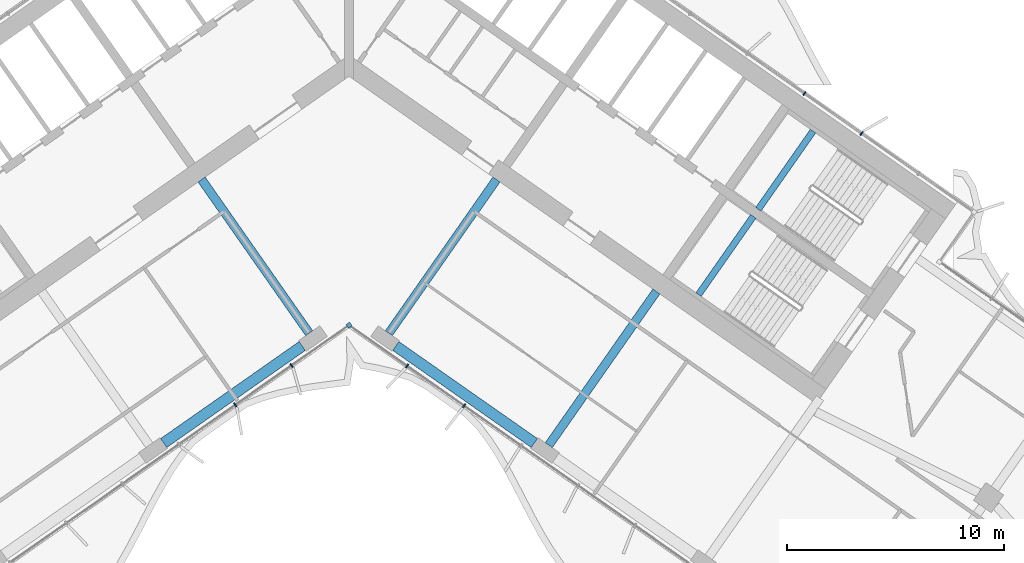
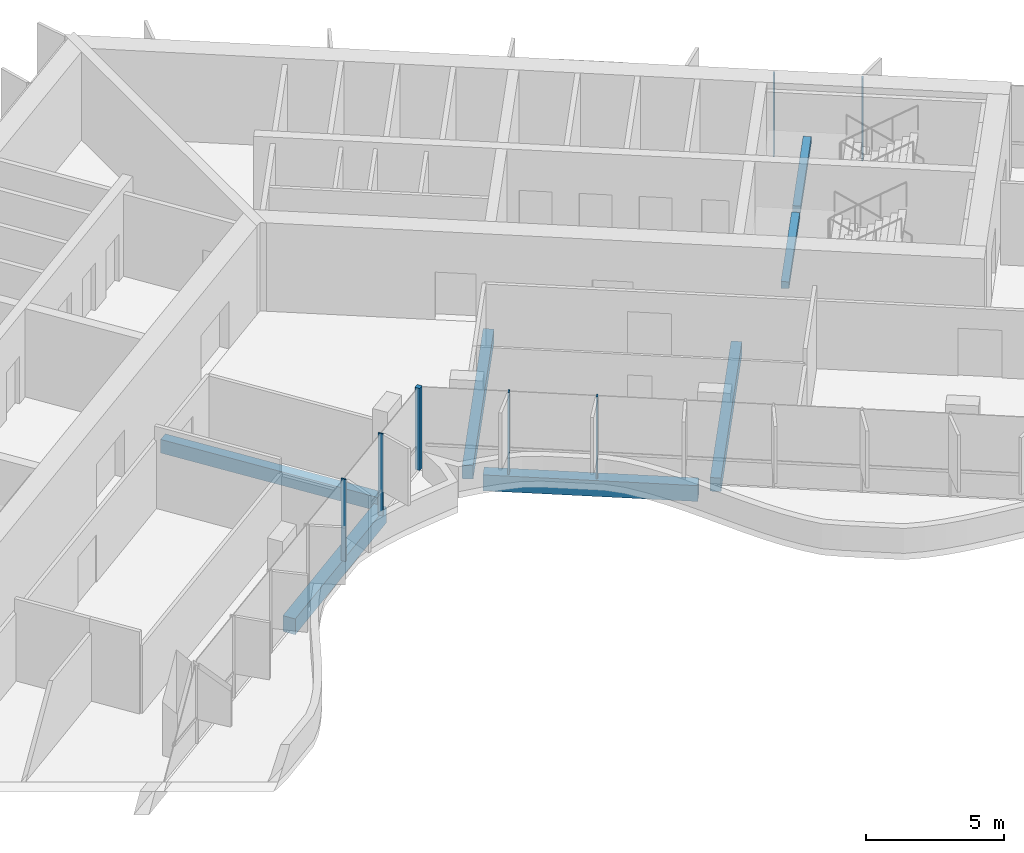
# One storey, part 6 of 22: 7 beams, 7 members, 2 elements without a shape of their own.
"""IFC4 building model written with IfcOpenShell, lengths in metres."""

from ifc_helpers import new_model, si_unit, direction, frame, origin, origin_2d, place, context, subcontext, project, spatial, rectangle, extrude, material, material_profile, profile_set, type_object, element, aggregate, save


model = new_model("IFC4")

# Units and contexts
model_context = context("Model", 3, precision=1e-05, world=origin(), true_north=direction((0.0, 1.0)))
body_context = subcontext(model_context, "Body", "Model", "MODEL_VIEW")
ifc_project = project(units=[si_unit("LENGTHUNIT", "METRE"), si_unit("AREAUNIT", "SQUARE_METRE"), si_unit("VOLUMEUNIT", "CUBIC_METRE"), si_unit("PLANEANGLEUNIT", "RADIAN"), si_unit("MASSUNIT", "GRAM", prefix="KILO")], contexts=[model_context])

# Site, building, storey
site_placement = place(None, origin())
site = spatial("IfcSite", under=ifc_project, at=site_placement, CompositionType="ELEMENT")
building_placement = place(site_placement, origin())
building = spatial("IfcBuilding", under=site, at=building_placement, Name="Tel Ilan Convention Tower", CompositionType="ELEMENT")
storey_placement = place(building_placement, frame((0.0, 0.0, 143.699951171875)))
storey = spatial("IfcBuildingStorey", under=building, at=storey_placement, Name="L32", CompositionType="ELEMENT", Elevation=143.699951171875)

# Beams
ifc_material_1 = material(Name="Concrete C40/50", Category="concrete")
ifc_material_profile_1 = material_profile(ifc_material_1, rectangle(XDim=0.39990234375, YDim=0.60009765625, at=origin_2d()), Name="RC 400x600")
ifc_profile_set_1 = profile_set([ifc_material_profile_1], Name="Concrete C40/50")
beam_type_1 = type_object("IfcBeamType", Name="Beam RC 400x600 Concrete C40/50", PredefinedType="BEAM", material=ifc_profile_set_1)
for number, where, z_axis, x_axis, name in (
    (1, (-1.83740234375, -13.06689453125, -0.579833984375), (-0.573574099654, 0.819153680457, 0.0), (-0.819153680457, -0.573574099654, 0.0), "L32 beam W-W-F1-core"),
    (2, (1.83740234375, -13.06689453125, -0.579833984375), (0.573574099654, 0.819153680457, 0.0), (-0.819153680457, 0.573574099654, 0.0), "L32 beam E-E-F1-core"),
    (3, (9.209716796875, -18.229248046875, -0.579833984375), (0.573574099654, 0.819153680457, 0.0), (-0.819153680457, 0.573574099654, 0.0), "L32 beam E-E-F2-core"),
):
    element("IfcBeam", number, at=place(storey_placement, frame(where, z_axis=z_axis, x_axis=x_axis)), inside=storey, type_object=beam_type_1, Name=name, PredefinedType="BEAM", context=body_context, shape_type="SweptSolid", body=[
        extrude(rectangle(XDim=0.39990234375, YDim=0.60009765625, at=origin_2d()), origin(), (0.0, 0.0, 1.0), 8.64990234375),
    ])
ifc_material_2 = material(Name="Concrete C40/50", Category="concrete")
ifc_material_profile_2 = material_profile(ifc_material_2, rectangle(XDim=0.5, YDim=0.699951171875, at=origin_2d()), Name="RC 500x700")
ifc_profile_set_2 = profile_set([ifc_material_profile_2], Name="Concrete C40/50")
beam_type_2 = type_object("IfcBeamType", Name="Beam RC 500x700 Concrete C40/50", PredefinedType="BEAM", material=ifc_profile_set_2)
for number, where, z_axis, x_axis, name in (
    (4, (-2.15673828125, -13.656982421875, -0.6298828125), (-0.819153977895, -0.573573674866, 0.0), (0.573573674866, -0.819153977895, 0.0), "L32 beam W-W-F1-W-F2"),
    (5, (2.15673828125, -13.656982421875, -0.6298828125), (0.819153977895, -0.573573674866, 0.0), (0.573573674866, 0.819153977895, 0.0), "L32 beam E-E-F1-E-F2"),
):
    element("IfcBeam", number, at=place(storey_placement, frame(where, z_axis=z_axis, x_axis=x_axis)), inside=storey, type_object=beam_type_2, Name=name, PredefinedType="BEAM", context=body_context, shape_type="SweptSolid", body=[
        extrude(rectangle(XDim=0.5, YDim=0.699951171875, at=origin_2d()), origin(), (0.0, 0.0, 1.0), 7.800048828125),
    ])

# Curtain wall, member
ifc_material_3 = material(Name="Aluminium, bronze anodised", Category="aluminium")
curtain_wall_type_1 = type_object("IfcCurtainWallType", Name="CW4 STICK CURTAIN WALL, OFFICE TINTED GLASS", PredefinedType="NOTDEFINED", material=ifc_material_3)
curtain_wall_1_placement = place(storey_placement, origin())
curtain_wall_1 = element("IfcCurtainWall", 6, at=curtain_wall_1_placement, inside=storey, type_object=curtain_wall_type_1, Name="Curtain wall CW4-26.04", PredefinedType="NOTDEFINED")
ifc_material_4 = material(Name="Aluminium, bronze anodised", Category="aluminium")
ifc_material_profile_3 = material_profile(ifc_material_4, rectangle(XDim=0.199951171875, YDim=0.199951171875, at=origin_2d()), Name="CW CORNER MULLION 200x200")
ifc_profile_set_3 = profile_set([ifc_material_profile_3], Name="Aluminium, bronze anodised")
member_type_1 = type_object("IfcMemberType", Name="CW CORNER MULLION 200x200", PredefinedType="MULLION", material=ifc_profile_set_3)
member_1_placement = place(storey_placement, frame((0.0, -12.696044921875, 0.0), z_axis=(0.0, 0.0, 1.0), x_axis=(0.819152044289, 0.573576436351, 0.0)))
member_1 = element("IfcMember", 7, at=member_1_placement, type_object=member_type_1, Name="Corner mullion", PredefinedType="MULLION", context=body_context, shape_type="SweptSolid", body=[
    extrude(rectangle(XDim=0.199951171875, YDim=0.199951171875, at=origin_2d()), origin(), (0.0, 0.0, 1.0), 3.6201171875),
])

# Curtain wall, members
ifc_material_5 = material(Name="Aluminium, bronze anodised", Category="aluminium")
curtain_wall_type_2 = type_object("IfcCurtainWallType", Name="CW2 STICK CURTAIN WALL, SPANDREL PANELS", PredefinedType="NOTDEFINED", material=ifc_material_5)
curtain_wall_2_placement = place(storey_placement, origin())
curtain_wall_2 = element("IfcCurtainWall", 8, at=curtain_wall_2_placement, inside=storey, type_object=curtain_wall_type_2, Name="Curtain wall CW2-26.03", PredefinedType="NOTDEFINED")
ifc_material_6 = material(Name="Aluminium, bronze anodised", Category="aluminium")
ifc_material_profile_4 = material_profile(ifc_material_6, rectangle(XDim=0.06005859375, YDim=0.199951171875, at=origin_2d()), Name="CW MULLION 60x200")
ifc_profile_set_4 = profile_set([ifc_material_profile_4], Name="Aluminium, bronze anodised")
member_type_2 = type_object("IfcMemberType", Name="CW MULLION 60x200", PredefinedType="MULLION", material=ifc_profile_set_4)
member_2_placement = place(storey_placement, frame((23.63623046875, -3.854248046875, 0.0), z_axis=(0.0, 0.0, 1.0), x_axis=(-0.819152044289, 0.573576436351, 0.0)))
member_2 = element("IfcMember", 9, at=member_2_placement, type_object=member_type_2, Name="Mullion", PredefinedType="MULLION", context=body_context, shape_type="SweptSolid", body=[
    extrude(rectangle(XDim=0.06005859375, YDim=0.199951171875, at=origin_2d()), origin(), (0.0, 0.0, 1.0), 3.6201171875),
])
member_3_placement = place(storey_placement, frame((21.003662109375, -2.0107421875, 0.0), z_axis=(0.0, 0.0, 1.0), x_axis=(-0.819152044289, 0.573576436351, 0.0)))
member_3 = element("IfcMember", 10, at=member_3_placement, type_object=member_type_2, Name="Mullion", PredefinedType="MULLION", context=body_context, shape_type="SweptSolid", body=[
    extrude(rectangle(XDim=0.06005859375, YDim=0.199951171875, at=origin_2d()), origin(), (0.0, 0.0, 1.0), 3.6201171875),
])
aggregate(curtain_wall_2, [member_2, member_3])

# Member
member_4_placement = place(storey_placement, frame((-5.24755859375, -16.370361328125, 0.0), z_axis=(0.0, 0.0, 1.0), x_axis=(0.819152044289, 0.573576436351, 0.0)))
member_4 = element("IfcMember", 11, at=member_4_placement, type_object=member_type_2, Name="Mullion", PredefinedType="MULLION", context=body_context, shape_type="SweptSolid", body=[
    extrude(rectangle(XDim=0.06005859375, YDim=0.199951171875, at=origin_2d()), origin(), (0.0, 0.0, 1.0), 3.6201171875),
])

member_5_placement = place(storey_placement, frame((-2.65234375, -14.55322265625, 0.0), z_axis=(0.0, 0.0, 1.0), x_axis=(0.819152044289, 0.573576436351, 0.0)))
member_5 = element("IfcMember", 12, at=member_5_placement, type_object=member_type_2, Name="Mullion", PredefinedType="MULLION", context=body_context, shape_type="SweptSolid", body=[
    extrude(rectangle(XDim=0.06005859375, YDim=0.199951171875, at=origin_2d()), origin(), (0.0, 0.0, 1.0), 3.6201171875),
])

member_6_placement = place(storey_placement, frame((2.6826171875, -14.574462890625, 0.0), z_axis=(0.0, 0.0, 1.0), x_axis=(0.819152044289, -0.573576436351, 0.0)))
member_6 = element("IfcMember", 13, at=member_6_placement, type_object=member_type_2, Name="Mullion", PredefinedType="MULLION", context=body_context, shape_type="SweptSolid", body=[
    extrude(rectangle(XDim=0.06005859375, YDim=0.199951171875, at=origin_2d()), origin(), (0.0, 0.0, 1.0), 3.6201171875),
])

member_7_placement = place(storey_placement, frame((5.307861328125, -16.41259765625, 0.0), z_axis=(0.0, 0.0, 1.0), x_axis=(0.819152044289, -0.573576436351, 0.0)))
member_7 = element("IfcMember", 14, at=member_7_placement, type_object=member_type_2, Name="Mullion", PredefinedType="MULLION", context=body_context, shape_type="SweptSolid", body=[
    extrude(rectangle(XDim=0.06005859375, YDim=0.199951171875, at=origin_2d()), origin(), (0.0, 0.0, 1.0), 3.6201171875),
])

aggregate(curtain_wall_1, [member_4, member_5, member_1, member_6, member_7])

# Beams
ifc_material_7 = material(Name="Concrete C40/50", Category="concrete")
ifc_material_profile_5 = material_profile(ifc_material_7, rectangle(XDim=0.300048828125, YDim=0.300048828125, at=origin_2d()), Name="RC 300x300")
ifc_profile_set_5 = profile_set([ifc_material_profile_5], Name="Concrete C40/50")
beam_type_3 = type_object("IfcBeamType", Name="Landing Beam RC 300x300 Concrete C40/50", PredefinedType="BEAM", material=ifc_profile_set_5)
beam_1_placement = place(storey_placement, frame((21.39404296875, -3.7490234375, 1.60009765625), z_axis=(-0.57354426506, -0.819174569928, 0.0), x_axis=(0.819174569928, -0.57354426506, 0.0)))
element("IfcBeam", 15, at=beam_1_placement, inside=storey, type_object=beam_type_3, Name="S3 landing beam L32.1", PredefinedType="BEAM", context=body_context, shape_type="SweptSolid", body=[
    extrude(rectangle(XDim=0.300048828125, YDim=0.300048828125, at=origin_2d()), origin(), (0.0, 0.0, 1.0), 4.400146484375),
])
beam_2_placement = place(storey_placement, frame((18.640869140625, -7.68115234375, 1.60009765625), z_axis=(-0.573570334442, -0.819156316858, 0.0), x_axis=(0.819156316858, -0.573570334442, 0.0)))
element("IfcBeam", 16, at=beam_2_placement, inside=storey, type_object=beam_type_3, Name="S4 landing beam L32.1", PredefinedType="BEAM", context=body_context, shape_type="SweptSolid", body=[
    extrude(rectangle(XDim=0.300048828125, YDim=0.300048828125, at=origin_2d()), origin(), (0.0, 0.0, 1.0), 4.39990234375),
])

save(model, "model.ifc")
